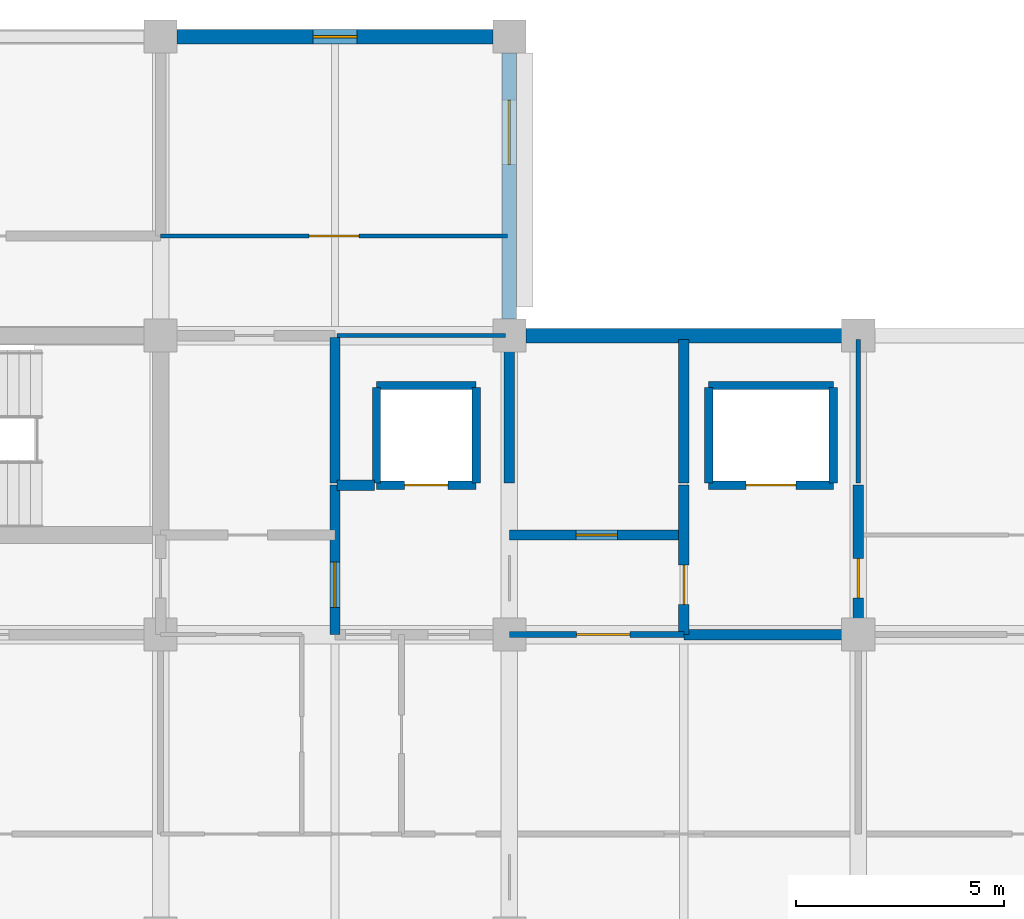
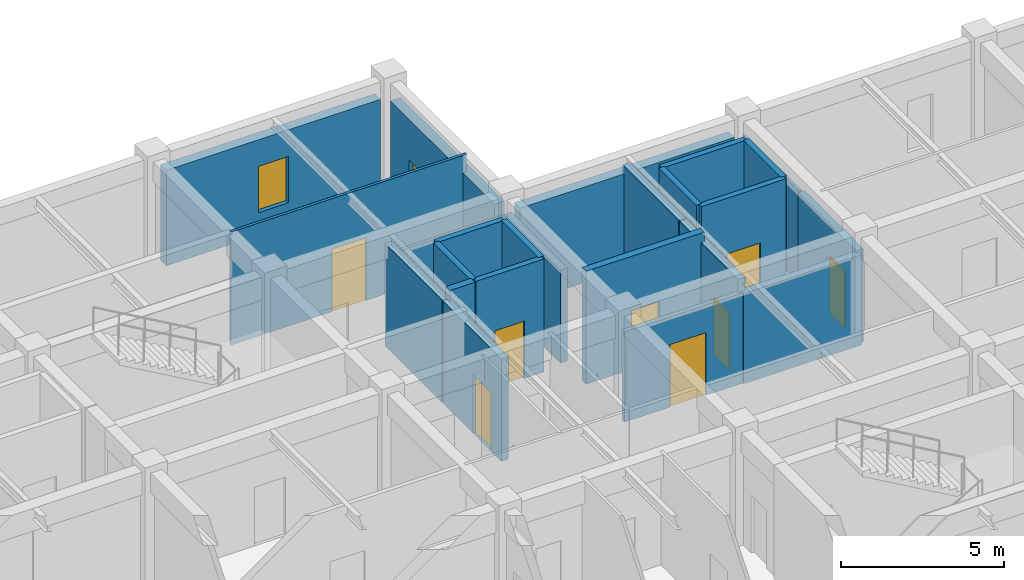
# One storey, part 30 of 40: 24 walls, 8 doors, 2 windows, 10 openings.
"""IFC4 building model written with IfcOpenShell, lengths in metres."""

import ifcopenshell
import ifcopenshell.guid

model = None  # the IFC model being written
_history = None  # IfcOwnerHistory: only IFC2X3 demands one
_inside = {}  # id of a spatial element -> (the spatial element, [elements in it])
_under = {}  # id of a project, library or spatial element -> (it, [spatial elements below it])
_declared = {}  # id of a project -> (the project, [libraries it declares])
_typed = {}  # id of a type object -> (the type object, [elements of that type])
_made_of = {}  # id of a material, layer set ... -> (it, [elements and type objects made of it])


def new_model(schema):
    """Start an empty IFC model of exactly this schema.

    Asked for "IFC4X3", IfcOpenShell would pick the latest addendum, in which some entities
    have other attributes; the version numbers below select the first issue.
    IFC2X3 requires an IfcOwnerHistory on every rooted entity: one is made here for all.
    """
    global model, _history
    if schema == "IFC4X3":
        model = ifcopenshell.file(schema_version=(4, 3, 0, 0))
    else:
        model = ifcopenshell.file(schema=schema)
    _inside.clear()
    _under.clear()
    _declared.clear()
    _typed.clear()
    _made_of.clear()
    _history = None
    if model.schema == "IFC2X3":
        org = make("IfcOrganization", Name="unknown")
        user = make(
            "IfcPersonAndOrganization",
            ThePerson=make("IfcPerson", FamilyName="unknown"),
            TheOrganization=org,
        )
        app = make(
            "IfcApplication",
            ApplicationDeveloper=org,
            Version="unknown",
            ApplicationFullName="unknown",
            ApplicationIdentifier="unknown",
        )
        _history = make(
            "IfcOwnerHistory",
            OwningUser=user,
            OwningApplication=app,
            ChangeAction="ADDED",
            CreationDate=0,
        )
    return model


def make(cls, **values):
    """One entity of the class cls with the attributes given. An attribute that is None is left unset."""
    return model.create_entity(
        cls, **{name: value for name, value in values.items() if value is not None}
    )


def rooted(cls, **values):
    """An entity with a GlobalId (a new one), such as an element, a storey or a relation."""
    return make(cls, GlobalId=ifcopenshell.guid.new(), OwnerHistory=_history, **values)


def si_unit(unit_type, name, prefix=None):
    """IfcSIUnit, for example si_unit("LENGTHUNIT", "METRE", prefix="MILLI")."""
    return make("IfcSIUnit", UnitType=unit_type, Prefix=prefix, Name=name)


def assignment(units):
    """IfcUnitAssignment: the units of a project."""
    return None if units is None else make("IfcUnitAssignment", Units=units)


def point(xyz):
    """IfcCartesianPoint."""
    return None if xyz is None else make("IfcCartesianPoint", Coordinates=xyz)


def direction(xyz):
    """IfcDirection."""
    return None if xyz is None else make("IfcDirection", DirectionRatios=xyz)


def frame(location, z_axis=None, x_axis=None):
    """IfcAxis2Placement3D, a coordinate frame: its origin and axes. An axis left out is left unset."""
    return make(
        "IfcAxis2Placement3D",
        Location=point(location),
        Axis=direction(z_axis),
        RefDirection=direction(x_axis),
    )


def frame_2d(location, x_axis=None):
    """IfcAxis2Placement2D, a coordinate frame in the plane: its origin and x axis."""
    return make(
        "IfcAxis2Placement2D", Location=point(location), RefDirection=direction(x_axis)
    )


def origin():
    """The frame at (0, 0, 0) with its axes left unset."""
    return frame((0.0, 0.0, 0.0))


def place(relative_to, where):
    """IfcLocalPlacement: puts the frame where relative to a parent placement (None: the world)."""
    return make(
        "IfcLocalPlacement", PlacementRelTo=relative_to, RelativePlacement=where
    )


def context(
    kind, dimensions, precision=None, world=None, true_north=None, identifier=None
):
    """IfcGeometricRepresentationContext, for example the 3D "Model" context."""
    return make(
        "IfcGeometricRepresentationContext",
        ContextIdentifier=identifier,
        ContextType=kind,
        CoordinateSpaceDimension=dimensions,
        Precision=precision,
        WorldCoordinateSystem=world,
        TrueNorth=true_north,
    )


def subcontext(parent, identifier, kind, view, scale=None):
    """IfcGeometricRepresentationSubContext, for example "Body" below "Model"."""
    return make(
        "IfcGeometricRepresentationSubContext",
        ContextIdentifier=identifier,
        ContextType=kind,
        ParentContext=parent,
        TargetScale=scale,
        TargetView=view,
    )


def project(units=None, contexts=None):
    """IfcProject with its units and contexts."""
    return rooted(
        "IfcProject",
        Name="project",
        RepresentationContexts=contexts,
        UnitsInContext=assignment(units),
    )


def spatial(cls, under=None, at=None, **own):
    """A site, building, storey or space (cls), placed at a placement, below another one or the project."""
    s = rooted(cls, ObjectPlacement=at, **own)
    if under is not None:
        _under.setdefault(under.id(), (under, []))[1].append(s)
    return s


def profile(cls, at=None, kind="AREA", **sizes):
    """A parametric profile (cls). Its sizes go by their IFC names, for example OverallWidth=200.0."""
    return make(cls, ProfileType=kind, Position=at, **sizes)


def rectangle(**sizes):
    """IfcRectangleProfileDef."""
    return profile("IfcRectangleProfileDef", **sizes)


def extrude(swept, where, along, depth):
    """IfcExtrudedAreaSolid: the profile swept, set in the frame where, extruded along a direction by depth."""
    return make(
        "IfcExtrudedAreaSolid",
        SweptArea=swept,
        Position=where,
        ExtrudedDirection=direction(along),
        Depth=depth,
    )


def shape(context_of_items, identifier, shape_type, items):
    """IfcShapeRepresentation: the items that make up one representation, for example the "Body"."""
    return make(
        "IfcShapeRepresentation",
        ContextOfItems=context_of_items,
        RepresentationIdentifier=identifier,
        RepresentationType=shape_type,
        Items=items,
    )


def material(Name=None, Category=None):
    """IfcMaterial."""
    return make("IfcMaterial", Name=Name, Category=Category)


def layer(
    of_material, thickness, ventilated=None, Name=None, Category=None, Priority=None
):
    """IfcMaterialLayer: one layer of a wall or slab, of a material (None: an air gap)."""
    return make(
        "IfcMaterialLayer",
        Material=of_material,
        LayerThickness=thickness,
        IsVentilated=ventilated,
        Name=Name,
        Category=Category,
        Priority=Priority,
    )


def layer_set(layers, Name=None):
    """IfcMaterialLayerSet."""
    return make("IfcMaterialLayerSet", MaterialLayers=layers, LayerSetName=Name)


def made_of(thing, what):
    """Note that an element or type object is made of a material, layer set ...; save() writes the relation."""
    if what is not None:
        _made_of.setdefault(what.id(), (what, []))[1].append(thing)
    return thing


def type_object(cls, material=None, **own):
    """A type object (cls), such as IfcWallType, which elements share."""
    return made_of(rooted(cls, **own), material)


def element(
    cls,
    number,
    at=None,
    inside=None,
    cuts=None,
    type_object=None,
    material=None,
    context=None,
    identifier="Body",
    shape_type=None,
    held_by="IfcProductDefinitionShape",
    body=None,
    shapes=None,
    **own,
):
    """One element of the class cls, such as IfcWall. Its Tag is "e" and its number.

    at: its placement. inside: the storey or other place that contains it. cuts: it is an
    opening in that element (IfcRelVoidsElement). A single representation is given by context,
    identifier, shape_type and body (its items); several are given by shapes. held_by: the class
    of the entity that holds the representations. save() writes the other relations.
    """
    e = rooted(cls, Tag="e%d" % number, ObjectPlacement=at, **own)
    if body is not None:
        shapes = [shape(context, identifier, shape_type, body)]
    if shapes is not None:
        e.Representation = make(held_by, Representations=shapes)
    if inside is not None:
        _inside.setdefault(inside.id(), (inside, []))[1].append(e)
    if cuts is not None:
        rooted(
            "IfcRelVoidsElement", RelatingBuildingElement=cuts, RelatedOpeningElement=e
        )
    if type_object is not None:
        _typed.setdefault(type_object.id(), (type_object, []))[1].append(e)
    return made_of(e, material)


def fill(opening, filler):
    """IfcRelFillsElement: the door or window that sits in an opening."""
    return rooted(
        "IfcRelFillsElement",
        RelatingOpeningElement=opening,
        RelatedBuildingElement=filler,
    )


def aggregate(whole, parts):
    """IfcRelAggregates: a whole, such as a stair, and the parts it consists of."""
    return rooted("IfcRelAggregates", RelatingObject=whole, RelatedObjects=parts)


def save(model, path):
    """Write the relations noted so far, then the file.

    IfcRelAggregates (storeys below a building ...), IfcRelContainedInSpatialStructure (elements
    in a storey), IfcRelDefinesByType, IfcRelAssociatesMaterial and IfcRelDeclares: one each for
    every whole, place, type object, material and project.
    """
    for whole, parts in _under.values():
        aggregate(whole, parts)
    for where, things in _inside.values():
        rooted(
            "IfcRelContainedInSpatialStructure",
            RelatedElements=things,
            RelatingStructure=where,
        )
    for kind, things in _typed.values():
        rooted("IfcRelDefinesByType", RelatedObjects=things, RelatingType=kind)
    for what, things in _made_of.values():
        rooted("IfcRelAssociatesMaterial", RelatedObjects=things, RelatingMaterial=what)
    for by, libraries in _declared.values():
        rooted("IfcRelDeclares", RelatingContext=by, RelatedDefinitions=libraries)
    model.write(path)


model = new_model("IFC4")

# Units and contexts
model_context = context("Model", 3, precision=1e-05, world=origin(), true_north=direction((0.0, 1.0)))
body_context = subcontext(model_context, "Body", "Model", "MODEL_VIEW")
ifc_project = project(units=[si_unit("LENGTHUNIT", "METRE"), si_unit("AREAUNIT", "SQUARE_METRE"), si_unit("VOLUMEUNIT", "CUBIC_METRE"), si_unit("PLANEANGLEUNIT", "RADIAN"), si_unit("MASSUNIT", "GRAM", prefix="KILO")], contexts=[model_context])

# Site, building, storey
site_placement = place(None, origin())
site = spatial("IfcSite", under=ifc_project, at=site_placement, CompositionType="ELEMENT")
building_placement = place(site_placement, origin())
building = spatial("IfcBuilding", under=site, at=building_placement, Name="Chengyuan Square Courthouse", CompositionType="ELEMENT")
storey_placement = place(building_placement, frame((0.0, 0.0, 21.60009765625)))
storey = spatial("IfcBuildingStorey", under=building, at=storey_placement, Name="L05", CompositionType="ELEMENT", Elevation=21.60009765625)

# Wall, opening, window
ifc_material_1 = material(Name="Concrete C40", Category="concrete")
ifc_layer_1 = layer(ifc_material_1, 0.35009765625)
ifc_layer_set_1 = layer_set([ifc_layer_1], Name="Concrete C40")
wall_type_1 = type_object("IfcWallType", Name="WL-EW2", PredefinedType="STANDARD", material=ifc_layer_set_1)
wall_1_placement = place(storey_placement, frame((109.594970703125, 115.199951171875, 0.0), z_axis=(0.0, 0.0, 1.0), x_axis=(1.0, 0.0, 0.0)))
wall_1 = element("IfcWall", 1, at=wall_1_placement, inside=storey, type_object=wall_type_1, Name="Exterior Wall WL-L05-E349", PredefinedType="STANDARD", context=body_context, shape_type="SweptSolid", body=[
    extrude(rectangle(XDim=7.610107421875, YDim=0.35009765625, at=frame_2d((3.80517578125, 0.0))), origin(), (0.0, 0.0, 1.0), 3.58984375),
])
opening_1_placement = place(wall_1_placement, frame((3.280029296875, 0.0, 0.85009765625)))
opening_1 = element("IfcOpeningElement", 2, at=opening_1_placement, cuts=wall_1, Name="Opening WN-117", PredefinedType="OPENING", context=body_context, shape_type="SweptSolid", body=[
    extrude(rectangle(XDim=1.050048828125, YDim=1.739990234375, at=frame_2d((0.52490234375, 0.8701171875))), frame((0.0, 0.18701171875, 0.0), z_axis=(0.0, -1.0, 0.0), x_axis=(1.0, 0.0, 0.0)), (0.0, 0.0, 1.0), 0.3740234375),
])
ifc_material_2 = material(Name="Thermally Broken Aluminium Triple Low-E Window", Category="aluminium")
window_type_1 = type_object("IfcWindowType", Name="WT-10", PartitioningType="SINGLE_PANEL", PredefinedType="WINDOW", material=ifc_material_2)
window_1_placement = place(opening_1_placement, origin())
window_1 = element("IfcWindow", 3, at=window_1_placement, inside=storey, type_object=window_type_1, Name="Facade Window WN-117", OverallHeight=1.739990234375, OverallWidth=1.050048828125, PartitioningType="SINGLE_PANEL", PredefinedType="WINDOW", context=body_context, shape_type="SweptSolid", body=[
    extrude(rectangle(XDim=1.050048828125, YDim=1.739990234375, at=frame_2d((0.52490234375, 0.8701171875))), frame((0.0, 0.030029296875, 0.0), z_axis=(0.0, -1.0, 0.0), x_axis=(1.0, 0.0, 0.0)), (0.0, 0.0, 1.0), 0.06005859375),
])
fill(opening_1, window_1)

wall_2_placement = place(storey_placement, frame((117.60009765625, 108.39501953125, 0.0), z_axis=(0.0, 0.0, 1.0), x_axis=(0.0, 1.0, 0.0)))
wall_2 = element("IfcWall", 4, at=wall_2_placement, inside=storey, type_object=wall_type_1, Name="Exterior Wall WL-L05-E350", PredefinedType="STANDARD", context=body_context, shape_type="SweptSolid", body=[
    extrude(rectangle(XDim=6.409912109375, YDim=0.35009765625, at=frame_2d((3.205078125, 0.0))), origin(), (0.0, 0.0, 1.0), 3.58984375),
])
opening_2_placement = place(wall_2_placement, frame((3.72998046875, 0.0, 0.85009765625)))
opening_2 = element("IfcOpeningElement", 5, at=opening_2_placement, cuts=wall_2, Name="Opening WN-118", PredefinedType="OPENING", context=body_context, shape_type="SweptSolid", body=[
    extrude(rectangle(XDim=1.550048828125, YDim=1.199951171875, at=frame_2d((0.77490234375, 0.60009765625))), frame((0.0, 0.18701171875, 0.0), z_axis=(0.0, -1.0, 0.0), x_axis=(1.0, 0.0, 0.0)), (0.0, 0.0, 1.0), 0.3740234375),
])
window_type_2 = type_object("IfcWindowType", Name="WT-25", PartitioningType="SINGLE_PANEL", PredefinedType="WINDOW", material=ifc_material_2)
window_2_placement = place(opening_2_placement, origin())
window_2 = element("IfcWindow", 6, at=window_2_placement, inside=storey, type_object=window_type_2, Name="Facade Window WN-118", OverallHeight=1.199951171875, OverallWidth=1.550048828125, PartitioningType="SINGLE_PANEL", PredefinedType="WINDOW", context=body_context, shape_type="SweptSolid", body=[
    extrude(rectangle(XDim=1.550048828125, YDim=1.199951171875, at=frame_2d((0.77490234375, 0.60009765625))), frame((0.0, 0.030029296875, 0.0), z_axis=(0.0, -1.0, 0.0), x_axis=(1.0, 0.0, 0.0)), (0.0, 0.0, 1.0), 0.06005859375),
])
fill(opening_2, window_2)

# Walls
wall_3_placement = place(storey_placement, frame((117.9951171875, 108.0, 0.0), z_axis=(0.0, 0.0, 1.0), x_axis=(1.0, 0.0, 0.0)))
element("IfcWall", 7, at=wall_3_placement, inside=storey, type_object=wall_type_1, Name="Exterior Wall WL-L05-E351", PredefinedType="STANDARD", context=body_context, shape_type="SweptSolid", body=[
    extrude(rectangle(XDim=7.60986328125, YDim=0.35009765625, at=frame_2d((3.804931640625, 0.0))), origin(), (0.0, 0.0, 1.0), 3.58984375),
])
ifc_layer_2 = layer(ifc_material_1, 0.25)
ifc_layer_set_2 = layer_set([ifc_layer_2], Name="Concrete C40")
wall_type_2 = type_object("IfcWallType", Name="WL-FW1", PredefinedType="STANDARD", material=ifc_layer_set_2)
wall_4_placement = place(storey_placement, frame((121.800048828125, 100.800048828125, 0.0), z_axis=(0.0, 0.0, 1.0), x_axis=(1.0, 0.0, 0.0)))
element("IfcWall", 8, at=wall_4_placement, inside=storey, type_object=wall_type_2, Name="Interior Wall WL-L05-I2168", PredefinedType="STANDARD", context=body_context, shape_type="SweptSolid", body=[
    extrude(rectangle(XDim=4.199951171875, YDim=0.25, at=frame_2d((2.10009765625, 0.0))), origin(), (0.0, 0.0, 1.0), 3.389892578125),
])

# Wall, opening, door
wall_5_placement = place(storey_placement, frame((117.60009765625, 103.199951171875, 0.0), z_axis=(0.0, 0.0, 1.0), x_axis=(1.0, 0.0, 0.0)))
wall_5 = element("IfcWall", 9, at=wall_5_placement, inside=storey, type_object=wall_type_2, Name="Interior Wall WL-L05-I2180", PredefinedType="STANDARD", context=body_context, shape_type="SweptSolid", body=[
    extrude(rectangle(XDim=4.199951171875, YDim=0.25, at=frame_2d((2.10009765625, 0.0))), origin(), (0.0, 0.0, 1.0), 4.239990234375),
])
opening_3_placement = place(wall_5_placement, frame((1.60009765625, 0.0, 0.0)))
opening_3 = element("IfcOpeningElement", 10, at=opening_3_placement, cuts=wall_5, Name="Opening DR-1958", PredefinedType="OPENING", context=body_context, shape_type="SweptSolid", body=[
    extrude(rectangle(XDim=1.0, YDim=2.199951171875, at=frame_2d((0.5, 1.10009765625))), frame((0.0, 0.136962890625, 0.0), z_axis=(0.0, -1.0, 0.0), x_axis=(1.0, 0.0, 0.0)), (0.0, 0.0, 1.0), 0.27392578125),
])
ifc_material_3 = material(Name="Steel Q235B Fire Door", Category="steel")
door_type_1 = type_object("IfcDoorType", Name="DT-11", OperationType="NOTDEFINED", PredefinedType="DOOR", material=ifc_material_3)
door_1_placement = place(opening_3_placement, origin())
door_1 = element("IfcDoor", 11, at=door_1_placement, inside=storey, type_object=door_type_1, Name="Interior Door DR-1958", OperationType="SINGLE_SWING_LEFT", OverallHeight=2.199951171875, OverallWidth=1.0, PredefinedType="DOOR", context=body_context, shape_type="SweptSolid", body=[
    extrude(rectangle(XDim=1.0, YDim=2.199951171875, at=frame_2d((0.5, 1.10009765625))), frame((0.0, 0.02490234375, 0.0), z_axis=(0.0, -1.0, 0.0), x_axis=(1.0, 0.0, 0.0)), (0.0, 0.0, 1.0), 0.050048828125),
])
fill(opening_3, door_1)

# Wall
wall_6_placement = place(storey_placement, frame((113.449951171875, 104.39990234375, 0.0), z_axis=(0.0, 0.0, 1.0), x_axis=(1.0, 0.0, 0.0)))
element("IfcWall", 12, at=wall_6_placement, inside=storey, type_object=wall_type_2, Name="Interior Wall WL-L05-I2192", PredefinedType="STANDARD", context=body_context, shape_type="SweptSolid", body=[
    extrude(rectangle(XDim=0.900146484375, YDim=0.25, at=frame_2d((0.4501953125, 0.0))), origin(), (0.0, 0.0, 1.0), 4.239990234375),
])

# Wall, opening, door
wall_7_placement = place(storey_placement, frame((113.39990234375, 100.800048828125, 0.0), z_axis=(0.0, 0.0, 1.0), x_axis=(0.0, 1.0, 0.0)))
wall_7 = element("IfcWall", 13, at=wall_7_placement, inside=storey, type_object=wall_type_2, Name="Interior Wall WL-L05-I2332", PredefinedType="STANDARD", context=body_context, shape_type="SweptSolid", body=[
    extrude(rectangle(XDim=3.599853515625, YDim=0.25, at=frame_2d((1.7998046875, 0.0))), origin(), (0.0, 0.0, 1.0), 3.83984375),
])
opening_4_placement = place(wall_7_placement, frame((0.64990234375, 0.0, 0.0)))
opening_4 = element("IfcOpeningElement", 14, at=opening_4_placement, cuts=wall_7, Name="Opening DR-1981", PredefinedType="OPENING", context=body_context, shape_type="SweptSolid", body=[
    extrude(rectangle(XDim=1.10009765625, YDim=2.199951171875, at=frame_2d((0.550048828125, 1.10009765625))), frame((0.0, 0.136962890625, 0.0), z_axis=(0.0, -1.0, 0.0), x_axis=(1.0, 0.0, 0.0)), (0.0, 0.0, 1.0), 0.27392578125),
])
door_type_2 = type_object("IfcDoorType", Name="DT-10", OperationType="NOTDEFINED", PredefinedType="DOOR", material=ifc_material_3)
door_2_placement = place(opening_4_placement, origin())
door_2 = element("IfcDoor", 15, at=door_2_placement, inside=storey, type_object=door_type_2, Name="Interior Door DR-1981", OperationType="SINGLE_SWING_LEFT", OverallHeight=2.199951171875, OverallWidth=1.10009765625, PredefinedType="DOOR", context=body_context, shape_type="SweptSolid", body=[
    extrude(rectangle(XDim=1.10009765625, YDim=2.199951171875, at=frame_2d((0.550048828125, 1.10009765625))), frame((0.0, 0.02490234375, 0.0), z_axis=(0.0, -1.0, 0.0), x_axis=(1.0, 0.0, 0.0)), (0.0, 0.0, 1.0), 0.050048828125),
])
fill(opening_4, door_2)

# Walls
wall_8_placement = place(storey_placement, frame((113.39990234375, 104.449951171875, 0.0), z_axis=(0.0, 0.0, 1.0), x_axis=(0.0, 1.0, 0.0)))
element("IfcWall", 16, at=wall_8_placement, inside=storey, type_object=wall_type_2, Name="Interior Wall WL-L05-I2333", PredefinedType="STANDARD", context=body_context, shape_type="SweptSolid", body=[
    extrude(rectangle(XDim=3.5, YDim=0.25, at=frame_2d((1.75, 0.0))), origin(), (0.0, 0.0, 1.0), 3.83984375),
])
wall_9_placement = place(storey_placement, frame((117.60009765625, 104.449951171875, 0.0), z_axis=(0.0, 0.0, 1.0), x_axis=(0.0, 1.0, 0.0)))
element("IfcWall", 17, at=wall_9_placement, inside=storey, type_object=wall_type_2, Name="Interior Wall WL-L05-I2341", PredefinedType="STANDARD", context=body_context, shape_type="SweptSolid", body=[
    extrude(rectangle(XDim=3.4599609375, YDim=0.25, at=frame_2d((1.72998046875, 0.0))), origin(), (0.0, 0.0, 1.0), 3.489990234375),
])

# Wall, opening, door
wall_10_placement = place(storey_placement, frame((121.800048828125, 100.800048828125, 0.0), z_axis=(0.0, 0.0, 1.0), x_axis=(0.0, 1.0, 0.0)))
wall_10 = element("IfcWall", 18, at=wall_10_placement, inside=storey, type_object=wall_type_2, Name="Interior Wall WL-L05-I2342", PredefinedType="STANDARD", context=body_context, shape_type="SweptSolid", body=[
    extrude(rectangle(XDim=3.599853515625, YDim=0.25, at=frame_2d((1.7998046875, 0.0))), origin(), (0.0, 0.0, 1.0), 3.889892578125),
])
opening_5_placement = place(wall_10_placement, frame((0.72509765625, 0.0, 0.0)))
opening_5 = element("IfcOpeningElement", 19, at=opening_5_placement, cuts=wall_10, Name="Opening DR-1959", PredefinedType="OPENING", context=body_context, shape_type="SweptSolid", body=[
    extrude(rectangle(XDim=0.949951171875, YDim=2.14990234375, at=frame_2d((0.47509765625, 1.074951171875))), frame((0.0, 0.136962890625, 0.0), z_axis=(0.0, -1.0, 0.0), x_axis=(1.0, 0.0, 0.0)), (0.0, 0.0, 1.0), 0.27392578125),
])
door_type_3 = type_object("IfcDoorType", Name="DT-12", OperationType="NOTDEFINED", PredefinedType="DOOR", material=ifc_material_3)
door_3_placement = place(opening_5_placement, origin())
door_3 = element("IfcDoor", 20, at=door_3_placement, inside=storey, type_object=door_type_3, Name="Interior Door DR-1959", OperationType="SINGLE_SWING_RIGHT", OverallHeight=2.14990234375, OverallWidth=0.949951171875, PredefinedType="DOOR", context=body_context, shape_type="SweptSolid", body=[
    extrude(rectangle(XDim=0.949951171875, YDim=2.14990234375, at=frame_2d((0.47509765625, 1.074951171875))), frame((0.0, 0.02490234375, 0.0), z_axis=(0.0, -1.0, 0.0), x_axis=(1.0, 0.0, 0.0)), (0.0, 0.0, 1.0), 0.050048828125),
])
fill(opening_5, door_3)

# Wall
wall_11_placement = place(storey_placement, frame((121.800048828125, 104.449951171875, 0.0), z_axis=(0.0, 0.0, 1.0), x_axis=(0.0, 1.0, 0.0)))
element("IfcWall", 21, at=wall_11_placement, inside=storey, type_object=wall_type_2, Name="Interior Wall WL-L05-I2343", PredefinedType="STANDARD", context=body_context, shape_type="SweptSolid", body=[
    extrude(rectangle(XDim=3.4599609375, YDim=0.25, at=frame_2d((1.72998046875, 0.0))), origin(), (0.0, 0.0, 1.0), 3.889892578125),
])

# Wall, opening, door
wall_12_placement = place(storey_placement, frame((126.0, 100.800048828125, 0.0), z_axis=(0.0, 0.0, 1.0), x_axis=(0.0, 1.0, 0.0)))
wall_12 = element("IfcWall", 22, at=wall_12_placement, inside=storey, type_object=wall_type_2, Name="Interior Wall WL-L05-I2349", PredefinedType="STANDARD", context=body_context, shape_type="SweptSolid", body=[
    extrude(rectangle(XDim=3.599853515625, YDim=0.25, at=frame_2d((1.7998046875, 0.0))), origin(), (0.0, 0.0, 1.0), 3.489990234375),
])
opening_6_placement = place(wall_12_placement, frame((0.885009765625, 0.0, 0.0)))
opening_6 = element("IfcOpeningElement", 23, at=opening_6_placement, cuts=wall_12, Name="Opening DR-1962", PredefinedType="OPENING", context=body_context, shape_type="SweptSolid", body=[
    extrude(rectangle(XDim=0.949951171875, YDim=2.14990234375, at=frame_2d((0.47509765625, 1.074951171875))), frame((0.0, 0.136962890625, 0.0), z_axis=(0.0, -1.0, 0.0), x_axis=(1.0, 0.0, 0.0)), (0.0, 0.0, 1.0), 0.27392578125),
])
door_4_placement = place(opening_6_placement, origin())
door_4 = element("IfcDoor", 24, at=door_4_placement, inside=storey, type_object=door_type_3, Name="Interior Door DR-1962", OperationType="SINGLE_SWING_LEFT", OverallHeight=2.14990234375, OverallWidth=0.949951171875, PredefinedType="DOOR", context=body_context, shape_type="SweptSolid", body=[
    extrude(rectangle(XDim=0.949951171875, YDim=2.14990234375, at=frame_2d((0.47509765625, 1.074951171875))), frame((0.0, 0.02490234375, 0.0), z_axis=(0.0, -1.0, 0.0), x_axis=(1.0, 0.0, 0.0)), (0.0, 0.0, 1.0), 0.050048828125),
])
fill(opening_6, door_4)

ifc_material_4 = material(Name="Deliberation Room Sound-Insulated Partition")
ifc_layer_3 = layer(ifc_material_4, 0.14990234375)
ifc_layer_set_3 = layer_set([ifc_layer_3], Name="Deliberation Room Sound-Insulated Partition")
wall_type_3 = type_object("IfcWallType", Name="WL-PT3", PredefinedType="STANDARD", material=ifc_layer_set_3)
wall_13_placement = place(storey_placement, frame((117.60009765625, 100.800048828125, 0.0), z_axis=(0.0, 0.0, 1.0), x_axis=(1.0, 0.0, 0.0)))
wall_13 = element("IfcWall", 25, at=wall_13_placement, inside=storey, type_object=wall_type_3, Name="Interior Wall WL-L05-I2167", PredefinedType="STANDARD", context=body_context, shape_type="SweptSolid", body=[
    extrude(rectangle(XDim=4.199951171875, YDim=0.14990234375, at=frame_2d((2.10009765625, 0.0))), origin(), (0.0, 0.0, 1.0), 3.389892578125),
])
opening_7_placement = place(wall_13_placement, frame((1.6201171875, 0.0, 0.0)))
opening_7 = element("IfcOpeningElement", 26, at=opening_7_placement, cuts=wall_13, Name="Opening DR-1961", PredefinedType="OPENING", context=body_context, shape_type="SweptSolid", body=[
    extrude(rectangle(XDim=1.280029296875, YDim=2.35009765625, at=frame_2d((0.64013671875, 1.175048828125))), frame((0.0, 0.0869140625, 0.0), z_axis=(0.0, -1.0, 0.0), x_axis=(1.0, 0.0, 0.0)), (0.0, 0.0, 1.0), 0.173828125),
])
ifc_material_5 = material(Name="Acoustic Solid-Core Timber Door", Category="wood")
door_type_4 = type_object("IfcDoorType", Name="DT-38", OperationType="NOTDEFINED", PredefinedType="DOOR", material=ifc_material_5)
door_5_placement = place(opening_7_placement, origin())
door_5 = element("IfcDoor", 27, at=door_5_placement, inside=storey, type_object=door_type_4, Name="Interior Door DR-1961", OperationType="SINGLE_SWING_RIGHT", OverallHeight=2.35009765625, OverallWidth=1.280029296875, PredefinedType="DOOR", context=body_context, shape_type="SweptSolid", body=[
    extrude(rectangle(XDim=1.280029296875, YDim=2.35009765625, at=frame_2d((0.64013671875, 1.175048828125))), frame((0.0, 0.02490234375, 0.0), z_axis=(0.0, -1.0, 0.0), x_axis=(1.0, 0.0, 0.0)), (0.0, 0.0, 1.0), 0.050048828125),
])
fill(opening_7, door_5)

# Wall
ifc_material_6 = material(Name="Gypsum Plasterboard Acoustic Stud Partition")
ifc_layer_4 = layer(ifc_material_6, 0.10009765625)
ifc_layer_set_4 = layer_set([ifc_layer_4], Name="Gypsum Plasterboard Acoustic Stud Partition")
wall_type_4 = type_object("IfcWallType", Name="WL-PT6", PredefinedType="STANDARD", material=ifc_layer_set_4)
wall_14_placement = place(storey_placement, frame((113.449951171875, 108.0, 0.0), z_axis=(0.0, 0.0, 1.0), x_axis=(1.0, 0.0, 0.0)))
element("IfcWall", 28, at=wall_14_placement, inside=storey, type_object=wall_type_4, Name="Interior Wall WL-L05-I2217", PredefinedType="STANDARD", context=body_context, shape_type="SweptSolid", body=[
    extrude(rectangle(XDim=4.06005859375, YDim=0.10009765625, at=frame_2d((2.030029296875, 0.0))), origin(), (0.0, 0.0, 1.0), 3.389892578125),
])

# Wall, opening, door
wall_15_placement = place(storey_placement, frame((109.199951171875, 110.39990234375, 0.0), z_axis=(0.0, 0.0, 1.0), x_axis=(1.0, 0.0, 0.0)))
wall_15 = element("IfcWall", 29, at=wall_15_placement, inside=storey, type_object=wall_type_4, Name="Interior Wall WL-L05-I2222", PredefinedType="STANDARD", context=body_context, shape_type="SweptSolid", body=[
    extrude(rectangle(XDim=8.360107421875, YDim=0.10009765625, at=frame_2d((4.18017578125, 0.0))), origin(), (0.0, 0.0, 1.0), 4.239990234375),
])
opening_8_placement = place(wall_15_placement, frame((3.580078125, 0.0, 0.0)))
opening_8 = element("IfcOpeningElement", 30, at=opening_8_placement, cuts=wall_15, Name="Opening DR-2095", PredefinedType="OPENING", context=body_context, shape_type="SweptSolid", body=[
    extrude(rectangle(XDim=1.199951171875, YDim=2.35009765625, at=frame_2d((0.60009765625, 1.175048828125))), frame((0.0, 0.06201171875, 0.0), z_axis=(0.0, -1.0, 0.0), x_axis=(1.0, 0.0, 0.0)), (0.0, 0.0, 1.0), 0.1240234375),
])
door_type_5 = type_object("IfcDoorType", Name="DT-36", OperationType="NOTDEFINED", PredefinedType="DOOR", material=ifc_material_5)
door_6_placement = place(opening_8_placement, origin())
door_6 = element("IfcDoor", 31, at=door_6_placement, inside=storey, type_object=door_type_5, Name="Interior Door DR-2095", OperationType="SINGLE_SWING_LEFT", OverallHeight=2.35009765625, OverallWidth=1.199951171875, PredefinedType="DOOR", context=body_context, shape_type="SweptSolid", body=[
    extrude(rectangle(XDim=1.199951171875, YDim=2.35009765625, at=frame_2d((0.60009765625, 1.175048828125))), frame((0.0, 0.02490234375, 0.0), z_axis=(0.0, -1.0, 0.0), x_axis=(1.0, 0.0, 0.0)), (0.0, 0.0, 1.0), 0.050048828125),
])
fill(opening_8, door_6)

# Wall
wall_16_placement = place(storey_placement, frame((126.0, 104.449951171875, 0.0), z_axis=(0.0, 0.0, 1.0), x_axis=(0.0, 1.0, 0.0)))
element("IfcWall", 32, at=wall_16_placement, inside=storey, type_object=wall_type_4, Name="Interior Wall WL-L05-I2350", PredefinedType="STANDARD", context=body_context, shape_type="SweptSolid", body=[
    extrude(rectangle(XDim=3.4599609375, YDim=0.10009765625, at=frame_2d((1.72998046875, 0.0))), origin(), (0.0, 0.0, 1.0), 3.489990234375),
])

# Wall, opening, door
ifc_material_7 = material(Name="Reinforced Masonry Shaft Enclosure", Category="masonry")
ifc_layer_5 = layer(ifc_material_7, 0.199951171875)
ifc_layer_set_5 = layer_set([ifc_layer_5], Name="Reinforced Masonry Shaft Enclosure")
wall_type_5 = type_object("IfcWallType", Name="WL-SH1", PredefinedType="STANDARD", material=ifc_layer_set_5)
wall_17_placement = place(storey_placement, frame((114.39990234375, 104.39990234375, 0.0), z_axis=(0.0, 0.0, 1.0), x_axis=(1.0, 0.0, 0.0)))
wall_17 = element("IfcWall", 33, at=wall_17_placement, inside=storey, type_object=wall_type_5, Name="Interior Wall WL-L05-I2193", PredefinedType="STANDARD", context=body_context, shape_type="SweptSolid", body=[
    extrude(rectangle(XDim=2.400146484375, YDim=0.199951171875, at=frame_2d((1.2001953125, 0.0))), origin(), (0.0, 0.0, 1.0), 4.239990234375),
])
opening_9_placement = place(wall_17_placement, frame((0.675048828125, 0.0, 0.0)))
opening_9 = element("IfcOpeningElement", 34, at=opening_9_placement, cuts=wall_17, Name="Opening LD-100", PredefinedType="OPENING", context=body_context, shape_type="SweptSolid", body=[
    extrude(rectangle(XDim=1.050048828125, YDim=2.14990234375, at=frame_2d((0.52490234375, 1.074951171875))), frame((0.0, 0.112060546875, 0.0), z_axis=(0.0, -1.0, 0.0), x_axis=(1.0, 0.0, 0.0)), (0.0, 0.0, 1.0), 0.223876953125),
])
ifc_material_8 = material(Name="Stainless Steel S30408 Lift Landing Door", Category="steel")
door_type_6 = type_object("IfcDoorType", Name="DT-08", OperationType="DOUBLE_DOOR_SLIDING", PredefinedType="DOOR", material=ifc_material_8)
door_7_placement = place(opening_9_placement, origin())
door_7 = element("IfcDoor", 35, at=door_7_placement, inside=storey, type_object=door_type_6, Name="Lift Landing Door LF-C2 L05", OperationType="DOUBLE_DOOR_SLIDING", OverallHeight=2.14990234375, OverallWidth=1.050048828125, PredefinedType="DOOR", context=body_context, shape_type="SweptSolid", body=[
    extrude(rectangle(XDim=1.050048828125, YDim=2.14990234375, at=frame_2d((0.52490234375, 1.074951171875))), frame((0.0, 0.02490234375, 0.0), z_axis=(0.0, -1.0, 0.0), x_axis=(1.0, 0.0, 0.0)), (0.0, 0.0, 1.0), 0.050048828125),
])
fill(opening_9, door_7)

wall_18_placement = place(storey_placement, frame((122.39990234375, 104.39990234375, 0.0), z_axis=(0.0, 0.0, 1.0), x_axis=(1.0, 0.0, 0.0)))
wall_18 = element("IfcWall", 36, at=wall_18_placement, inside=storey, type_object=wall_type_5, Name="Interior Wall WL-L05-I2194", PredefinedType="STANDARD", context=body_context, shape_type="SweptSolid", body=[
    extrude(rectangle(XDim=3.0, YDim=0.199951171875, at=frame_2d((1.5, 0.0))), origin(), (0.0, 0.0, 1.0), 4.239990234375),
])
opening_10_placement = place(wall_18_placement, frame((0.89990234375, 0.0, 0.0)))
opening_10 = element("IfcOpeningElement", 37, at=opening_10_placement, cuts=wall_18, Name="Opening LD-088", PredefinedType="OPENING", context=body_context, shape_type="SweptSolid", body=[
    extrude(rectangle(XDim=1.199951171875, YDim=2.14990234375, at=frame_2d((0.60009765625, 1.074951171875))), frame((0.0, 0.112060546875, 0.0), z_axis=(0.0, -1.0, 0.0), x_axis=(1.0, 0.0, 0.0)), (0.0, 0.0, 1.0), 0.223876953125),
])
door_type_7 = type_object("IfcDoorType", Name="DT-05", OperationType="DOUBLE_DOOR_SLIDING", PredefinedType="DOOR", material=ifc_material_8)
door_8_placement = place(opening_10_placement, origin())
door_8 = element("IfcDoor", 38, at=door_8_placement, inside=storey, type_object=door_type_7, Name="Lift Landing Door LF-F4 L05", OperationType="DOUBLE_DOOR_SLIDING", OverallHeight=2.14990234375, OverallWidth=1.199951171875, PredefinedType="DOOR", context=body_context, shape_type="SweptSolid", body=[
    extrude(rectangle(XDim=1.199951171875, YDim=2.14990234375, at=frame_2d((0.60009765625, 1.074951171875))), frame((0.0, 0.02490234375, 0.0), z_axis=(0.0, -1.0, 0.0), x_axis=(1.0, 0.0, 0.0)), (0.0, 0.0, 1.0), 0.050048828125),
])
fill(opening_10, door_8)

# Walls
wall_19_placement = place(storey_placement, frame((114.39990234375, 106.800048828125, 0.0), z_axis=(0.0, 0.0, 1.0), x_axis=(1.0, 0.0, 0.0)))
element("IfcWall", 39, at=wall_19_placement, inside=storey, type_object=wall_type_5, Name="Interior Wall WL-L05-I2203", PredefinedType="STANDARD", context=body_context, shape_type="SweptSolid", body=[
    extrude(rectangle(XDim=2.400146484375, YDim=0.199951171875, at=frame_2d((1.2001953125, 0.0))), origin(), (0.0, 0.0, 1.0), 4.239990234375),
])
wall_20_placement = place(storey_placement, frame((122.39990234375, 106.800048828125, 0.0), z_axis=(0.0, 0.0, 1.0), x_axis=(1.0, 0.0, 0.0)))
element("IfcWall", 40, at=wall_20_placement, inside=storey, type_object=wall_type_5, Name="Interior Wall WL-L05-I2204", PredefinedType="STANDARD", context=body_context, shape_type="SweptSolid", body=[
    extrude(rectangle(XDim=3.0, YDim=0.199951171875, at=frame_2d((1.5, 0.0))), origin(), (0.0, 0.0, 1.0), 4.239990234375),
])
for number, where, z_axis, x_axis, name in (
    (41, (114.39990234375, 104.449951171875, 0.0), (0.0, 0.0, 1.0), (0.0, 1.0, 0.0), "Interior Wall WL-L05-I2334"),
    (42, (116.800048828125, 104.449951171875, 0.0), (0.0, 0.0, 1.0), (0.0, 1.0, 0.0), "Interior Wall WL-L05-I2337"),
    (43, (122.39990234375, 104.449951171875, 0.0), (0.0, 0.0, 1.0), (0.0, 1.0, 0.0), "Interior Wall WL-L05-I2344"),
    (44, (125.39990234375, 104.449951171875, 0.0), (0.0, 0.0, 1.0), (0.0, 1.0, 0.0), "Interior Wall WL-L05-I2345"),
):
    element("IfcWall", number, at=place(storey_placement, frame(where, z_axis=z_axis, x_axis=x_axis)), inside=storey, type_object=wall_type_5, Name=name, PredefinedType="STANDARD", context=body_context, shape_type="SweptSolid", body=[
        extrude(rectangle(XDim=2.300048828125, YDim=0.199951171875, at=frame_2d((1.14990234375, 0.0))), origin(), (0.0, 0.0, 1.0), 4.239990234375),
    ])

save(model, "model.ifc")
